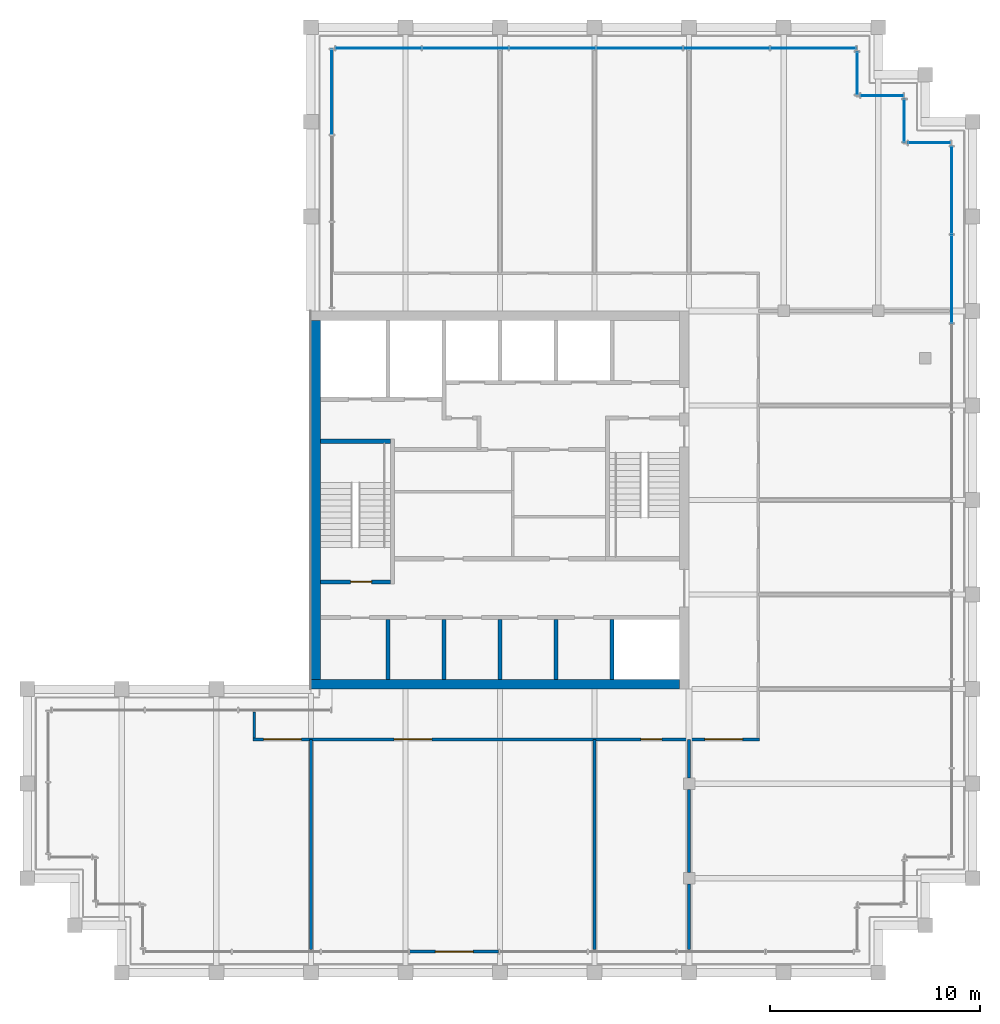
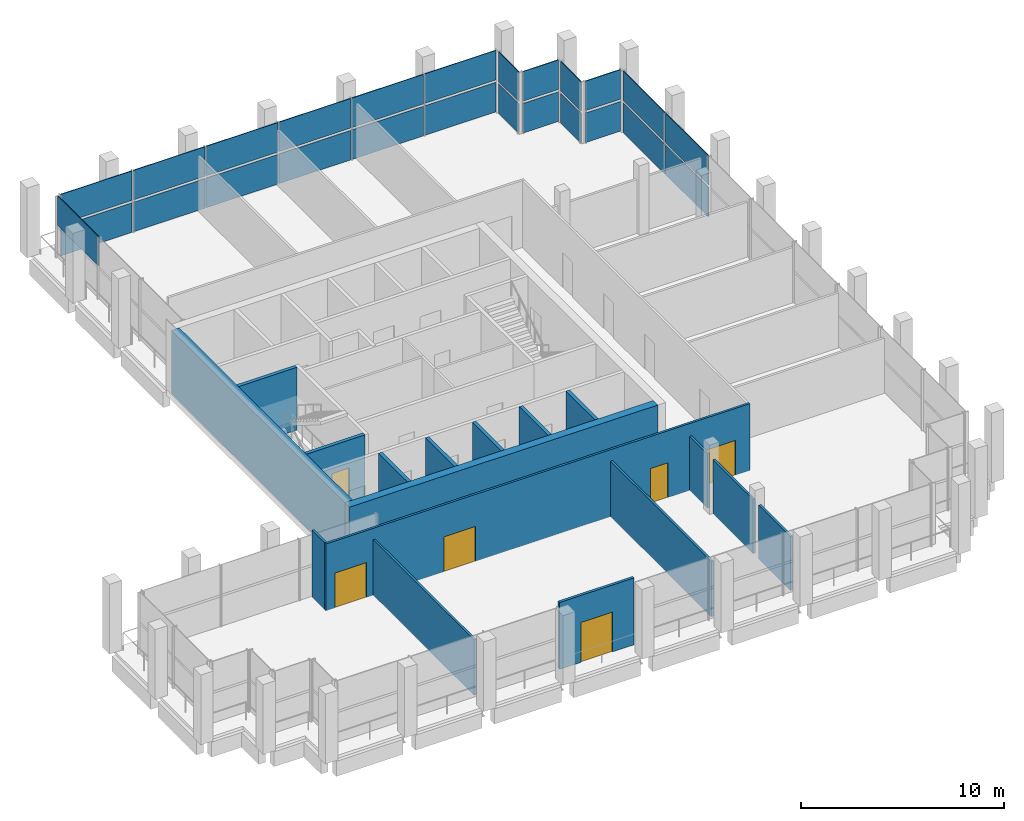
# One storey, part 14 of 17: 25 plates, 17 walls, 6 doors, 6 openings, 7 elements without a shape of their own.
"""IFC4 building model written with IfcOpenShell, lengths in metres."""

from ifc_helpers import new_model, si_unit, direction, frame, frame_2d, origin, origin_2d, place, context, subcontext, project, spatial, rectangle, extrude, material, layer, layer_set, type_object, element, fill, aggregate, save


model = new_model("IFC4")

# Units and contexts
model_context = context("Model", 3, precision=1e-05, world=origin(), true_north=direction((0.0, 1.0)))
body_context = subcontext(model_context, "Body", "Model", "MODEL_VIEW")
ifc_project = project(units=[si_unit("LENGTHUNIT", "METRE"), si_unit("AREAUNIT", "SQUARE_METRE"), si_unit("VOLUMEUNIT", "CUBIC_METRE"), si_unit("PLANEANGLEUNIT", "RADIAN"), si_unit("MASSUNIT", "GRAM", prefix="KILO")], contexts=[model_context])

# Site, building, storey
site_placement = place(None, origin())
site = spatial("IfcSite", under=ifc_project, at=site_placement, CompositionType="ELEMENT")
building_placement = place(site_placement, origin())
building = spatial("IfcBuilding", under=site, at=building_placement, Name="Altepetl Exchange Towers", CompositionType="ELEMENT")
storey_placement = place(building_placement, frame((0.0, 0.0, 255.199951171875)))
storey = spatial("IfcBuildingStorey", under=building, at=storey_placement, Name="L65", CompositionType="ELEMENT", Elevation=255.199951171875)

# Curtain wall, plates
ifc_material_1 = material(Name="Aluminium 6063-T6 glazing", Category="aluminium")
curtain_wall_type = type_object("IfcCurtainWallType", Name="Executive flush glazing system", PredefinedType="NOTDEFINED", material=ifc_material_1)
curtain_wall_1_placement = place(storey_placement, origin())
curtain_wall_1 = element("IfcCurtainWall", 1, at=curtain_wall_1_placement, inside=storey, type_object=curtain_wall_type, Name="CW4 run", PredefinedType="NOTDEFINED")
ifc_material_2 = material(Name="Glass 10-24-10 laminated", Category="glass")
ifc_layer_1 = layer(ifc_material_2, 0.0439453125)
ifc_layer_set_1 = layer_set([ifc_layer_1], Name="Glass 10-24-10 laminated")
plate_type = type_object("IfcPlateType", Name="Glass panel 44 laminated", PredefinedType="CURTAIN_PANEL", material=ifc_layer_set_1)
plate_1_placement = place(storey_placement, frame((71.0, 60.0234375, 0.0), z_axis=(0.0, 0.0, 1.0), x_axis=(0.0, 1.0, 0.0)))
plate_1 = element("IfcPlate", 2, at=plate_1_placement, type_object=plate_type, Name="GP3 panel", PredefinedType="CURTAIN_PANEL", context=body_context, shape_type="SweptSolid", body=[
    extrude(rectangle(XDim=4.17431640625, YDim=0.0439453125, at=origin_2d()), origin(), (0.0, 0.0, 1.0), 1.780029296875),
])
plate_2_placement = place(storey_placement, frame((71.0, 60.0234375, 1.919921875), z_axis=(0.0, 0.0, 1.0), x_axis=(0.0, 1.0, 0.0)))
plate_2 = element("IfcPlate", 3, at=plate_2_placement, type_object=plate_type, Name="GP3 panel", PredefinedType="CURTAIN_PANEL", context=body_context, shape_type="SweptSolid", body=[
    extrude(rectangle(XDim=4.17431640625, YDim=0.0439453125, at=origin_2d()), origin(), (0.0, 0.0, 1.0), 1.780029296875),
])
plate_3_placement = place(storey_placement, frame((71.0, 64.242919921875, 0.0), z_axis=(0.0, 0.0, 1.0), x_axis=(0.0, 1.0, 0.0)))
plate_3 = element("IfcPlate", 4, at=plate_3_placement, type_object=plate_type, Name="GP3 panel", PredefinedType="CURTAIN_PANEL", context=body_context, shape_type="SweptSolid", body=[
    extrude(rectangle(XDim=4.144287109375, YDim=0.0439453125, at=origin_2d()), origin(), (0.0, 0.0, 1.0), 1.780029296875),
])
plate_4_placement = place(storey_placement, frame((71.0, 64.242919921875, 1.919921875), z_axis=(0.0, 0.0, 1.0), x_axis=(0.0, 1.0, 0.0)))
plate_4 = element("IfcPlate", 5, at=plate_4_placement, type_object=plate_type, Name="GP3 panel", PredefinedType="CURTAIN_PANEL", context=body_context, shape_type="SweptSolid", body=[
    extrude(rectangle(XDim=4.144287109375, YDim=0.0439453125, at=origin_2d()), origin(), (0.0, 0.0, 1.0), 1.780029296875),
])
aggregate(curtain_wall_1, [plate_1, plate_2, plate_3, plate_4])

curtain_wall_2_placement = place(storey_placement, origin())
curtain_wall_2 = element("IfcCurtainWall", 6, at=curtain_wall_2_placement, inside=storey, type_object=curtain_wall_type, Name="CW4 run", PredefinedType="NOTDEFINED")
plate_5_placement = place(storey_placement, frame((69.9375, 66.5, 0.0), z_axis=(0.0, 0.0, 1.0), x_axis=(-1.0, 0.0, 0.0)))
plate_5 = element("IfcPlate", 7, at=plate_5_placement, type_object=plate_type, Name="GP3 panel", PredefinedType="CURTAIN_PANEL", context=body_context, shape_type="SweptSolid", body=[
    extrude(rectangle(XDim=2.0048828125, YDim=0.0439453125, at=origin_2d()), origin(), (0.0, 0.0, 1.0), 1.780029296875),
])
plate_6_placement = place(storey_placement, frame((69.9375, 66.5, 1.919921875), z_axis=(0.0, 0.0, 1.0), x_axis=(-1.0, 0.0, 0.0)))
plate_6 = element("IfcPlate", 8, at=plate_6_placement, type_object=plate_type, Name="GP3 panel", PredefinedType="CURTAIN_PANEL", context=body_context, shape_type="SweptSolid", body=[
    extrude(rectangle(XDim=2.0048828125, YDim=0.0439453125, at=origin_2d()), origin(), (0.0, 0.0, 1.0), 1.780029296875),
])
aggregate(curtain_wall_2, [plate_5, plate_6])

curtain_wall_3_placement = place(storey_placement, origin())
curtain_wall_3 = element("IfcCurtainWall", 9, at=curtain_wall_3_placement, inside=storey, type_object=curtain_wall_type, Name="CW4 run", PredefinedType="NOTDEFINED")
plate_7_placement = place(storey_placement, frame((68.75, 67.5625, 0.0), z_axis=(0.0, 0.0, 1.0), x_axis=(0.0, 1.0, 0.0)))
plate_7 = element("IfcPlate", 10, at=plate_7_placement, type_object=plate_type, Name="GP3 panel", PredefinedType="CURTAIN_PANEL", context=body_context, shape_type="SweptSolid", body=[
    extrude(rectangle(XDim=2.0048828125, YDim=0.0439453125, at=origin_2d()), origin(), (0.0, 0.0, 1.0), 1.780029296875),
])
plate_8_placement = place(storey_placement, frame((68.75, 67.5625, 1.919921875), z_axis=(0.0, 0.0, 1.0), x_axis=(0.0, 1.0, 0.0)))
plate_8 = element("IfcPlate", 11, at=plate_8_placement, type_object=plate_type, Name="GP3 panel", PredefinedType="CURTAIN_PANEL", context=body_context, shape_type="SweptSolid", body=[
    extrude(rectangle(XDim=2.0048828125, YDim=0.0439453125, at=origin_2d()), origin(), (0.0, 0.0, 1.0), 1.780029296875),
])
aggregate(curtain_wall_3, [plate_7, plate_8])

curtain_wall_4_placement = place(storey_placement, origin())
curtain_wall_4 = element("IfcCurtainWall", 12, at=curtain_wall_4_placement, inside=storey, type_object=curtain_wall_type, Name="CW4 run", PredefinedType="NOTDEFINED")
plate_9_placement = place(storey_placement, frame((67.6875, 68.75, 0.0), z_axis=(0.0, 0.0, 1.0), x_axis=(-1.0, 0.0, 0.0)))
plate_9 = element("IfcPlate", 13, at=plate_9_placement, type_object=plate_type, Name="GP3 panel", PredefinedType="CURTAIN_PANEL", context=body_context, shape_type="SweptSolid", body=[
    extrude(rectangle(XDim=2.0048828125, YDim=0.0439453125, at=origin_2d()), origin(), (0.0, 0.0, 1.0), 1.780029296875),
])
plate_10_placement = place(storey_placement, frame((67.6875, 68.75, 1.919921875), z_axis=(0.0, 0.0, 1.0), x_axis=(-1.0, 0.0, 0.0)))
plate_10 = element("IfcPlate", 14, at=plate_10_placement, type_object=plate_type, Name="GP3 panel", PredefinedType="CURTAIN_PANEL", context=body_context, shape_type="SweptSolid", body=[
    extrude(rectangle(XDim=2.0048828125, YDim=0.0439453125, at=origin_2d()), origin(), (0.0, 0.0, 1.0), 1.780029296875),
])
aggregate(curtain_wall_4, [plate_9, plate_10])

curtain_wall_5_placement = place(storey_placement, origin())
curtain_wall_5 = element("IfcCurtainWall", 15, at=curtain_wall_5_placement, inside=storey, type_object=curtain_wall_type, Name="CW4 run", PredefinedType="NOTDEFINED")
plate_11_placement = place(storey_placement, frame((66.5, 69.8125, 0.0), z_axis=(0.0, 0.0, 1.0), x_axis=(0.0, 1.0, 0.0)))
plate_11 = element("IfcPlate", 16, at=plate_11_placement, type_object=plate_type, Name="GP3 panel", PredefinedType="CURTAIN_PANEL", context=body_context, shape_type="SweptSolid", body=[
    extrude(rectangle(XDim=2.0048828125, YDim=0.0439453125, at=origin_2d()), origin(), (0.0, 0.0, 1.0), 1.780029296875),
])
plate_12_placement = place(storey_placement, frame((66.5, 69.8125, 1.919921875), z_axis=(0.0, 0.0, 1.0), x_axis=(0.0, 1.0, 0.0)))
plate_12 = element("IfcPlate", 17, at=plate_12_placement, type_object=plate_type, Name="GP3 panel", PredefinedType="CURTAIN_PANEL", context=body_context, shape_type="SweptSolid", body=[
    extrude(rectangle(XDim=2.0048828125, YDim=0.0439453125, at=origin_2d()), origin(), (0.0, 0.0, 1.0), 1.780029296875),
])
aggregate(curtain_wall_5, [plate_11, plate_12])

curtain_wall_6_placement = place(storey_placement, origin())
curtain_wall_6 = element("IfcCurtainWall", 18, at=curtain_wall_6_placement, inside=storey, type_object=curtain_wall_type, Name="CW4 run", PredefinedType="NOTDEFINED")
plate_13_placement = place(storey_placement, frame((64.412109375, 71.0, 0.0), z_axis=(0.0, 0.0, 1.0), x_axis=(-1.0, 0.0, 0.0)))
plate_13 = element("IfcPlate", 19, at=plate_13_placement, type_object=plate_type, Name="GP3 panel", PredefinedType="CURTAIN_PANEL", context=body_context, shape_type="SweptSolid", body=[
    extrude(rectangle(XDim=4.055908203125, YDim=0.0439453125, at=origin_2d()), origin(), (0.0, 0.0, 1.0), 1.780029296875),
])
plate_14_placement = place(storey_placement, frame((64.412109375, 71.0, 1.919921875), z_axis=(0.0, 0.0, 1.0), x_axis=(-1.0, 0.0, 0.0)))
plate_14 = element("IfcPlate", 20, at=plate_14_placement, type_object=plate_type, Name="GP3 panel", PredefinedType="CURTAIN_PANEL", context=body_context, shape_type="SweptSolid", body=[
    extrude(rectangle(XDim=4.055908203125, YDim=0.0439453125, at=origin_2d()), origin(), (0.0, 0.0, 1.0), 1.780029296875),
])
plate_15_placement = place(storey_placement, frame((60.28125, 71.0, 0.0), z_axis=(0.0, 0.0, 1.0), x_axis=(-1.0, 0.0, 0.0)))
plate_15 = element("IfcPlate", 21, at=plate_15_placement, type_object=plate_type, Name="GP3 panel", PredefinedType="CURTAIN_PANEL", context=body_context, shape_type="SweptSolid", body=[
    extrude(rectangle(XDim=4.0859375, YDim=0.0439453125, at=origin_2d()), origin(), (0.0, 0.0, 1.0), 1.780029296875),
])
plate_16_placement = place(storey_placement, frame((60.28125, 71.0, 1.919921875), z_axis=(0.0, 0.0, 1.0), x_axis=(-1.0, 0.0, 0.0)))
plate_16 = element("IfcPlate", 22, at=plate_16_placement, type_object=plate_type, Name="GP3 panel", PredefinedType="CURTAIN_PANEL", context=body_context, shape_type="SweptSolid", body=[
    extrude(rectangle(XDim=4.0859375, YDim=0.0439453125, at=origin_2d()), origin(), (0.0, 0.0, 1.0), 1.780029296875),
])
plate_17_placement = place(storey_placement, frame((56.135498046875, 71.0, 0.0), z_axis=(0.0, 0.0, 1.0), x_axis=(-1.0, 0.0, 0.0)))
plate_17 = element("IfcPlate", 23, at=plate_17_placement, type_object=plate_type, Name="GP3 panel", PredefinedType="CURTAIN_PANEL", context=body_context, shape_type="SweptSolid", body=[
    extrude(rectangle(XDim=4.0859375, YDim=0.0439453125, at=origin_2d()), origin(), (0.0, 0.0, 1.0), 1.780029296875),
])
plate_18_placement = place(storey_placement, frame((56.135498046875, 71.0, 1.919921875), z_axis=(0.0, 0.0, 1.0), x_axis=(-1.0, 0.0, 0.0)))
plate_18 = element("IfcPlate", 24, at=plate_18_placement, type_object=plate_type, Name="GP3 panel", PredefinedType="CURTAIN_PANEL", context=body_context, shape_type="SweptSolid", body=[
    extrude(rectangle(XDim=4.0859375, YDim=0.0439453125, at=origin_2d()), origin(), (0.0, 0.0, 1.0), 1.780029296875),
])
plate_19_placement = place(storey_placement, frame((51.989501953125, 71.0, 0.0), z_axis=(0.0, 0.0, 1.0), x_axis=(-1.0, 0.0, 0.0)))
plate_19 = element("IfcPlate", 25, at=plate_19_placement, type_object=plate_type, Name="GP3 panel", PredefinedType="CURTAIN_PANEL", context=body_context, shape_type="SweptSolid", body=[
    extrude(rectangle(XDim=4.0859375, YDim=0.0439453125, at=origin_2d()), origin(), (0.0, 0.0, 1.0), 1.780029296875),
])
plate_20_placement = place(storey_placement, frame((51.989501953125, 71.0, 1.919921875), z_axis=(0.0, 0.0, 1.0), x_axis=(-1.0, 0.0, 0.0)))
plate_20 = element("IfcPlate", 26, at=plate_20_placement, type_object=plate_type, Name="GP3 panel", PredefinedType="CURTAIN_PANEL", context=body_context, shape_type="SweptSolid", body=[
    extrude(rectangle(XDim=4.0859375, YDim=0.0439453125, at=origin_2d()), origin(), (0.0, 0.0, 1.0), 1.780029296875),
])
plate_21_placement = place(storey_placement, frame((47.84375, 71.0, 0.0), z_axis=(0.0, 0.0, 1.0), x_axis=(-1.0, 0.0, 0.0)))
plate_21 = element("IfcPlate", 27, at=plate_21_placement, type_object=plate_type, Name="GP3 panel", PredefinedType="CURTAIN_PANEL", context=body_context, shape_type="SweptSolid", body=[
    extrude(rectangle(XDim=4.0859375, YDim=0.0439453125, at=origin_2d()), origin(), (0.0, 0.0, 1.0), 1.780029296875),
])
plate_22_placement = place(storey_placement, frame((47.84375, 71.0, 1.919921875), z_axis=(0.0, 0.0, 1.0), x_axis=(-1.0, 0.0, 0.0)))
plate_22 = element("IfcPlate", 28, at=plate_22_placement, type_object=plate_type, Name="GP3 panel", PredefinedType="CURTAIN_PANEL", context=body_context, shape_type="SweptSolid", body=[
    extrude(rectangle(XDim=4.0859375, YDim=0.0439453125, at=origin_2d()), origin(), (0.0, 0.0, 1.0), 1.780029296875),
])
plate_23_placement = place(storey_placement, frame((43.712890625, 71.0, 0.0), z_axis=(0.0, 0.0, 1.0), x_axis=(-1.0, 0.0, 0.0)))
plate_23 = element("IfcPlate", 29, at=plate_23_placement, type_object=plate_type, Name="GP3 panel", PredefinedType="CURTAIN_PANEL", context=body_context, shape_type="SweptSolid", body=[
    extrude(rectangle(XDim=4.055908203125, YDim=0.0439453125, at=origin_2d()), origin(), (0.0, 0.0, 1.0), 1.780029296875),
])
plate_24_placement = place(storey_placement, frame((43.712890625, 71.0, 1.919921875), z_axis=(0.0, 0.0, 1.0), x_axis=(-1.0, 0.0, 0.0)))
plate_24 = element("IfcPlate", 30, at=plate_24_placement, type_object=plate_type, Name="GP3 panel", PredefinedType="CURTAIN_PANEL", context=body_context, shape_type="SweptSolid", body=[
    extrude(rectangle(XDim=4.055908203125, YDim=0.0439453125, at=origin_2d()), origin(), (0.0, 0.0, 1.0), 1.780029296875),
])
aggregate(curtain_wall_6, [plate_13, plate_14, plate_15, plate_16, plate_17, plate_18, plate_19, plate_20, plate_21, plate_22, plate_23, plate_24])

# Curtain wall, plate
curtain_wall_7_placement = place(storey_placement, origin())
curtain_wall_7 = element("IfcCurtainWall", 31, at=curtain_wall_7_placement, inside=storey, type_object=curtain_wall_type, Name="CW4 run", PredefinedType="NOTDEFINED")
plate_25_placement = place(storey_placement, frame((41.5, 68.922607421875, 1.919921875), z_axis=(0.0, 0.0, 1.0), x_axis=(0.0, -1.0, 0.0)))
plate_25 = element("IfcPlate", 32, at=plate_25_placement, type_object=plate_type, Name="GP3 panel", PredefinedType="CURTAIN_PANEL", context=body_context, shape_type="SweptSolid", body=[
    extrude(rectangle(XDim=4.034912109375, YDim=0.0439453125, at=origin_2d()), origin(), (0.0, 0.0, 1.0), 1.780029296875),
])
aggregate(curtain_wall_7, [plate_25])

# Walls
ifc_material_3 = material(Name="Concrete C70/85", Category="concrete")
ifc_layer_2 = layer(ifc_material_3, 0.449951171875)
ifc_layer_set_2 = layer_set([ifc_layer_2], Name="Concrete C70/85")
wall_type_1 = type_object("IfcWallType", Name="Core wall 450 reinforced concrete", PredefinedType="SHEAR", material=ifc_layer_set_2)
wall_1_placement = place(storey_placement, frame((40.5, 40.72509765625, 0.0)))
element("IfcWall", 33, at=wall_1_placement, inside=storey, type_object=wall_type_1, Name="wall:A:L65:K-coreS", PredefinedType="SHEAR", context=body_context, shape_type="SweptSolid", body=[
    extrude(rectangle(XDim=17.550048828125, YDim=0.449951171875, at=frame_2d((8.77490234375, 0.0))), origin(), (0.0, 0.0, 1.0), 3.780029296875),
])
ifc_layer_3 = layer(ifc_material_3, 0.449951171875)
ifc_layer_set_3 = layer_set([ifc_layer_3], Name="Concrete C70/85")
wall_type_2 = type_object("IfcWallType", Name="Core wall 450 reinforced concrete external", PredefinedType="SHEAR", material=ifc_layer_set_3)
wall_2_placement = place(storey_placement, frame((40.72509765625, 40.949951171875, 0.0), z_axis=(0.0, 0.0, 1.0), x_axis=(0.0, 1.0, 0.0)))
element("IfcWall", 34, at=wall_2_placement, inside=storey, type_object=wall_type_2, Name="wall:A:L65:K-coreW", PredefinedType="SHEAR", context=body_context, shape_type="SweptSolid", body=[
    extrude(rectangle(XDim=17.10009765625, YDim=0.449951171875, at=frame_2d((8.550048828125, 0.0))), origin(), (0.0, 0.0, 1.0), 3.780029296875),
])

# Wall, opening, door
ifc_material_4 = material(Name="Aluminium composite cladding", Category="aluminium")
ifc_layer_4 = layer(ifc_material_4, 0.14990234375)
ifc_layer_set_4 = layer_set([ifc_layer_4], Name="Aluminium composite cladding")
wall_type_3 = type_object("IfcWallType", Name="Infill wall 150 aluminium panel", PredefinedType="SOLIDWALL", material=ifc_layer_set_4)
wall_3_placement = place(storey_placement, frame((45.203125, 28.0, 0.0)))
wall_3 = element("IfcWall", 35, at=wall_3_placement, inside=storey, type_object=wall_type_3, Name="Loggia door bay wall", PredefinedType="SOLIDWALL", context=body_context, shape_type="SweptSolid", body=[
    extrude(rectangle(XDim=4.234375, YDim=0.14990234375, at=frame_2d((2.1171875, 0.0))), origin(), (0.0, 0.0, 1.0), 4.025146484375),
])
opening_1_placement = place(wall_3_placement, frame((1.21728515625, 0.0, 0.0)))
opening_1 = element("IfcOpeningElement", 36, at=opening_1_placement, cuts=wall_3, Name="Opening L65.A90", PredefinedType="OPENING", context=body_context, shape_type="SweptSolid", body=[
    extrude(rectangle(XDim=1.800048828125, YDim=2.39990234375, at=frame_2d((0.89990234375, 1.199951171875))), frame((0.0, 0.0849609375, 0.0), z_axis=(0.0, -1.0, 0.0), x_axis=(1.0, 0.0, 0.0)), (0.0, 0.0, 1.0), 0.169921875),
])
ifc_material_5 = material(Name="Aluminium 6063-T6 and glass", Category="aluminium")
door_type_1 = type_object("IfcDoorType", Name="Glazed door pair 1800x2400", OperationType="DOUBLE_DOOR_DOUBLE_SWING", PredefinedType="NOTDEFINED", material=ifc_material_5)
door_1_placement = place(opening_1_placement, frame((1.800048828125, 0.0, 0.0), x_axis=(-1.0, 0.0, 0.0)))
door_1 = element("IfcDoor", 37, at=door_1_placement, inside=storey, type_object=door_type_1, Name="Loggia door", OperationType="DOUBLE_DOOR_DOUBLE_SWING", OverallHeight=2.39990234375, OverallWidth=1.800048828125, PredefinedType="NOTDEFINED", context=body_context, shape_type="SweptSolid", body=[
    extrude(rectangle(XDim=1.800048828125, YDim=2.39990234375, at=frame_2d((0.89990234375, 1.199951171875))), frame((0.0, 0.02490234375, 0.0), z_axis=(0.0, -1.0, 0.0), x_axis=(1.0, 0.0, 0.0)), (0.0, 0.0, 1.0), 0.050048828125),
])
fill(opening_1, door_1)

# Wall, openings, doors
ifc_material_6 = material(Name="Gypsum board on steel studs", Category="steel")
ifc_layer_5 = layer(ifc_material_6, 0.125)
ifc_layer_set_5 = layer_set([ifc_layer_5], Name="Gypsum board on steel studs")
wall_type_4 = type_object("IfcWallType", Name="Partition 125 gypsum board on steel studs", PredefinedType="PARTITIONING", material=ifc_layer_set_5)
wall_4_placement = place(storey_placement, frame((37.737548828125, 38.10009765625, 0.0)))
wall_4 = element("IfcWall", 38, at=wall_4_placement, inside=storey, type_object=wall_type_4, Name="wall:A:L65:P01", PredefinedType="PARTITIONING", context=body_context, shape_type="SweptSolid", body=[
    extrude(rectangle(XDim=24.125, YDim=0.125, at=frame_2d((12.0625, 0.0))), origin(), (0.0, 0.0, 1.0), 4.025146484375),
])
opening_2_placement = place(wall_4_placement, frame((0.512451171875, 0.0, 0.0)))
opening_2 = element("IfcOpeningElement", 39, at=opening_2_placement, cuts=wall_4, Name="Opening L65.A01", PredefinedType="OPENING", context=body_context, shape_type="SweptSolid", body=[
    extrude(rectangle(XDim=1.800048828125, YDim=2.10009765625, at=frame_2d((0.89990234375, 1.050048828125))), frame((0.0, 0.072509765625, 0.0), z_axis=(0.0, -1.0, 0.0), x_axis=(1.0, 0.0, 0.0)), (0.0, 0.0, 1.0), 0.14501953125),
])
opening_3_placement = place(wall_4_placement, frame((6.722412109375, 0.0, 0.0)))
opening_3 = element("IfcOpeningElement", 40, at=opening_3_placement, cuts=wall_4, Name="Opening L65.A02", PredefinedType="OPENING", context=body_context, shape_type="SweptSolid", body=[
    extrude(rectangle(XDim=1.800048828125, YDim=2.10009765625, at=frame_2d((0.89990234375, 1.050048828125))), frame((0.0, 0.072509765625, 0.0), z_axis=(0.0, -1.0, 0.0), x_axis=(1.0, 0.0, 0.0)), (0.0, 0.0, 1.0), 0.14501953125),
])
opening_4_placement = place(wall_4_placement, frame((18.467529296875, 0.0, 0.0)))
opening_4 = element("IfcOpeningElement", 41, at=opening_4_placement, cuts=wall_4, Name="Opening L65.A03", PredefinedType="OPENING", context=body_context, shape_type="SweptSolid", body=[
    extrude(rectangle(XDim=1.0, YDim=2.10009765625, at=frame_2d((0.5, 1.050048828125))), frame((0.0, 0.072509765625, 0.0), z_axis=(0.0, -1.0, 0.0), x_axis=(1.0, 0.0, 0.0)), (0.0, 0.0, 1.0), 0.14501953125),
])
opening_5_placement = place(wall_4_placement, frame((21.512451171875, 0.0, 0.0)))
opening_5 = element("IfcOpeningElement", 42, at=opening_5_placement, cuts=wall_4, Name="Opening L65.A04", PredefinedType="OPENING", context=body_context, shape_type="SweptSolid", body=[
    extrude(rectangle(XDim=1.800048828125, YDim=2.10009765625, at=frame_2d((0.89990234375, 1.050048828125))), frame((0.0, 0.072509765625, 0.0), z_axis=(0.0, -1.0, 0.0), x_axis=(1.0, 0.0, 0.0)), (0.0, 0.0, 1.0), 0.14501953125),
])
ifc_material_7 = material(Name="Steel and timber fire door", Category="steel")
door_type_2 = type_object("IfcDoorType", Name="Fire door 1000 x 2100 single leaf", OperationType="SINGLE_SWING_LEFT", PredefinedType="DOOR", material=ifc_material_7)
door_2_placement = place(opening_4_placement, frame((1.0, 0.0, 0.0), x_axis=(-1.0, 0.0, 0.0)))
door_2 = element("IfcDoor", 43, at=door_2_placement, inside=storey, type_object=door_type_2, Name="door:A:L65:03", OperationType="SINGLE_SWING_LEFT", OverallHeight=2.10009765625, OverallWidth=1.0, PredefinedType="DOOR", context=body_context, shape_type="SweptSolid", body=[
    extrude(rectangle(XDim=1.0, YDim=2.10009765625, at=frame_2d((0.5, 1.050048828125))), frame((0.0, 0.02490234375, 0.0), z_axis=(0.0, -1.0, 0.0), x_axis=(1.0, 0.0, 0.0)), (0.0, 0.0, 1.0), 0.050048828125),
])
fill(opening_4, door_2)
door_type_3 = type_object("IfcDoorType", Name="Fire door 1800 x 2100 double leaf", OperationType="DOUBLE_DOOR_SINGLE_SWING", PredefinedType="DOOR", material=ifc_material_7)
door_3_placement = place(opening_2_placement, frame((1.800048828125, 0.0, 0.0), x_axis=(-1.0, 0.0, 0.0)))
door_3 = element("IfcDoor", 44, at=door_3_placement, inside=storey, type_object=door_type_3, Name="door:A:L65:01", OperationType="DOUBLE_DOOR_SINGLE_SWING", OverallHeight=2.10009765625, OverallWidth=1.800048828125, PredefinedType="DOOR", context=body_context, shape_type="SweptSolid", body=[
    extrude(rectangle(XDim=1.800048828125, YDim=2.10009765625, at=frame_2d((0.89990234375, 1.050048828125))), frame((0.0, 0.02490234375, 0.0), z_axis=(0.0, -1.0, 0.0), x_axis=(1.0, 0.0, 0.0)), (0.0, 0.0, 1.0), 0.050048828125),
])
fill(opening_2, door_3)
door_4_placement = place(opening_3_placement, frame((1.800048828125, 0.0, 0.0), x_axis=(-1.0, 0.0, 0.0)))
door_4 = element("IfcDoor", 45, at=door_4_placement, inside=storey, type_object=door_type_3, Name="door:A:L65:02", OperationType="DOUBLE_DOOR_SINGLE_SWING", OverallHeight=2.10009765625, OverallWidth=1.800048828125, PredefinedType="DOOR", context=body_context, shape_type="SweptSolid", body=[
    extrude(rectangle(XDim=1.800048828125, YDim=2.10009765625, at=frame_2d((0.89990234375, 1.050048828125))), frame((0.0, 0.02490234375, 0.0), z_axis=(0.0, -1.0, 0.0), x_axis=(1.0, 0.0, 0.0)), (0.0, 0.0, 1.0), 0.050048828125),
])
fill(opening_3, door_4)
door_5_placement = place(opening_5_placement, frame((1.800048828125, 0.0, 0.0), x_axis=(-1.0, 0.0, 0.0)))
door_5 = element("IfcDoor", 46, at=door_5_placement, inside=storey, type_object=door_type_3, Name="door:A:L65:04", OperationType="DOUBLE_DOOR_SINGLE_SWING", OverallHeight=2.10009765625, OverallWidth=1.800048828125, PredefinedType="DOOR", context=body_context, shape_type="SweptSolid", body=[
    extrude(rectangle(XDim=1.800048828125, YDim=2.10009765625, at=frame_2d((0.89990234375, 1.050048828125))), frame((0.0, 0.02490234375, 0.0), z_axis=(0.0, -1.0, 0.0), x_axis=(1.0, 0.0, 0.0)), (0.0, 0.0, 1.0), 0.050048828125),
])
fill(opening_5, door_5)

# Walls
wall_5_placement = place(storey_placement, frame((37.800048828125, 38.16259765625, 0.0), z_axis=(0.0, 0.0, 1.0), x_axis=(0.0, 1.0, 0.0)))
element("IfcWall", 47, at=wall_5_placement, inside=storey, type_object=wall_type_4, Name="wall:A:L65:P10", PredefinedType="PARTITIONING", context=body_context, shape_type="SweptSolid", body=[
    extrude(rectangle(XDim=1.2373046875, YDim=0.125, at=frame_2d((0.61865234375, 0.0))), origin(), (0.0, 0.0, 1.0), 4.025146484375),
])
for number, where, z_axis, x_axis, name in (
    (48, (40.5, 28.10009765625, 0.0), (0.0, 0.0, 1.0), (0.0, 1.0, 0.0), "wall:A:L65:P11"),
    (49, (54.0, 28.10009765625, 0.0), (0.0, 0.0, 1.0), (0.0, 1.0, 0.0), "wall:A:L65:P13"),
):
    element("IfcWall", number, at=place(storey_placement, frame(where, z_axis=z_axis, x_axis=x_axis)), inside=storey, type_object=wall_type_4, Name=name, PredefinedType="PARTITIONING", context=body_context, shape_type="SweptSolid", body=[
        extrude(rectangle(XDim=10.0, YDim=0.125, at=frame_2d((5.0, 0.0))), origin(), (0.0, 0.0, 1.0), 3.341064453125),
    ])
wall_6_placement = place(storey_placement, frame((58.5, 28.10009765625, 0.0), z_axis=(0.0, 0.0, 1.0), x_axis=(0.0, 1.0, 0.0)))
element("IfcWall", 50, at=wall_6_placement, inside=storey, type_object=wall_type_4, Name="wall:A:L65:P15", PredefinedType="PARTITIONING", context=body_context, shape_type="SweptSolid", body=[
    extrude(rectangle(XDim=3.125, YDim=0.125, at=frame_2d((1.5625, 0.0))), origin(), (0.0, 0.0, 1.0), 3.2509765625),
])
wall_7_placement = place(storey_placement, frame((58.5, 31.77490234375, 0.0), z_axis=(0.0, 0.0, 1.0), x_axis=(0.0, 1.0, 0.0)))
element("IfcWall", 51, at=wall_7_placement, inside=storey, type_object=wall_type_4, Name="wall:A:L65:P16", PredefinedType="PARTITIONING", context=body_context, shape_type="SweptSolid", body=[
    extrude(rectangle(XDim=3.9501953125, YDim=0.125, at=frame_2d((1.97509765625, 0.0))), origin(), (0.0, 0.0, 1.0), 3.2509765625),
])
wall_8_placement = place(storey_placement, frame((58.5, 36.27490234375, 0.0), z_axis=(0.0, 0.0, 1.0), x_axis=(0.0, 1.0, 0.0)))
element("IfcWall", 52, at=wall_8_placement, inside=storey, type_object=wall_type_4, Name="wall:A:L65:P17", PredefinedType="PARTITIONING", context=body_context, shape_type="SweptSolid", body=[
    extrude(rectangle(XDim=1.8251953125, YDim=0.125, at=frame_2d((0.91259765625, 0.0))), origin(), (0.0, 0.0, 1.0), 3.2509765625),
])
ifc_material_8 = material(Name="Concrete C40/50", Category="concrete")
ifc_layer_6 = layer(ifc_material_8, 0.199951171875)
ifc_layer_set_6 = layer_set([ifc_layer_6], Name="Concrete C40/50")
wall_type_5 = type_object("IfcWallType", Name="Shaft wall 200 reinforced concrete", PredefinedType="SHEAR", material=ifc_layer_set_6)
wall_9_placement = place(storey_placement, frame((54.833251953125, 40.949951171875, 0.0), z_axis=(0.0, 0.0, 1.0), x_axis=(0.0, 1.0, 0.0)))
element("IfcWall", 53, at=wall_9_placement, inside=storey, type_object=wall_type_5, Name="wall:A:L65:K-divS5", PredefinedType="SHEAR", context=body_context, shape_type="SweptSolid", body=[
    extrude(rectangle(XDim=2.85009765625, YDim=0.199951171875, at=frame_2d((1.425048828125, 0.0))), origin(), (0.0, 0.0, 1.0), 3.780029296875),
])
ifc_layer_7 = layer(ifc_material_3, 0.199951171875)
ifc_layer_set_7 = layer_set([ifc_layer_7], Name="Concrete C70/85")
wall_type_6 = type_object("IfcWallType", Name="Shear wall 200 reinforced concrete", PredefinedType="SHEAR", material=ifc_layer_set_7)
for number, where, z_axis, x_axis, name in (
    (54, (44.166748046875, 40.949951171875, 0.0), (0.0, 0.0, 1.0), (0.0, 1.0, 0.0), "wall:A:L65:K-divS1"),
    (55, (46.833251953125, 40.949951171875, 0.0), (0.0, 0.0, 1.0), (0.0, 1.0, 0.0), "wall:A:L65:K-divS2"),
    (56, (49.5, 40.949951171875, 0.0), (0.0, 0.0, 1.0), (0.0, 1.0, 0.0), "wall:A:L65:K-divS3"),
    (57, (52.166748046875, 40.949951171875, 0.0), (0.0, 0.0, 1.0), (0.0, 1.0, 0.0), "wall:A:L65:K-divS4"),
):
    element("IfcWall", number, at=place(storey_placement, frame(where, z_axis=z_axis, x_axis=x_axis)), inside=storey, type_object=wall_type_6, Name=name, PredefinedType="SHEAR", context=body_context, shape_type="SweptSolid", body=[
        extrude(rectangle(XDim=2.85009765625, YDim=0.199951171875, at=frame_2d((1.425048828125, 0.0))), origin(), (0.0, 0.0, 1.0), 3.780029296875),
    ])
ifc_layer_8 = layer(ifc_material_8, 0.199951171875)
ifc_layer_set_8 = layer_set([ifc_layer_8], Name="Concrete C40/50")
wall_type_7 = type_object("IfcWallType", Name="Stair wall 200 reinforced concrete", PredefinedType="SHEAR", material=ifc_layer_set_8)
wall_10_placement = place(storey_placement, frame((40.949951171875, 52.300048828125, 0.0)))
element("IfcWall", 58, at=wall_10_placement, inside=storey, type_object=wall_type_7, Name="wall:A:L65:K-stS1N", PredefinedType="SHEAR", context=body_context, shape_type="SweptSolid", body=[
    extrude(rectangle(XDim=3.330078125, YDim=0.199951171875, at=frame_2d((1.6650390625, 0.0))), origin(), (0.0, 0.0, 1.0), 3.780029296875),
])

# Wall, opening, door
wall_11_placement = place(storey_placement, frame((40.949951171875, 45.60009765625, 0.0)))
wall_11 = element("IfcWall", 59, at=wall_11_placement, inside=storey, type_object=wall_type_7, Name="wall:A:L65:K-stS1S", PredefinedType="SHEAR", context=body_context, shape_type="SweptSolid", body=[
    extrude(rectangle(XDim=3.330078125, YDim=0.199951171875, at=frame_2d((1.6650390625, 0.0))), origin(), (0.0, 0.0, 1.0), 3.780029296875),
])
opening_6_placement = place(wall_11_placement, frame((1.43994140625, 0.0, 0.0)))
opening_6 = element("IfcOpeningElement", 60, at=opening_6_placement, cuts=wall_11, Name="Opening L65.A62", PredefinedType="OPENING", context=body_context, shape_type="SweptSolid", body=[
    extrude(rectangle(XDim=1.0, YDim=2.10009765625, at=frame_2d((0.5, 1.050048828125))), frame((0.0, 0.10986328125, 0.0), z_axis=(0.0, -1.0, 0.0), x_axis=(1.0, 0.0, 0.0)), (0.0, 0.0, 1.0), 0.219970703125),
])
door_type_4 = type_object("IfcDoorType", Name="Fire door 1000 x 2100 stair and lobby", OperationType="SINGLE_SWING_LEFT", PredefinedType="DOOR", material=ifc_material_7)
door_6_placement = place(opening_6_placement, origin())
door_6 = element("IfcDoor", 61, at=door_6_placement, inside=storey, type_object=door_type_4, Name="door:A:L65:K-dS1in", OperationType="SINGLE_SWING_RIGHT", OverallHeight=2.10009765625, OverallWidth=1.0, PredefinedType="DOOR", context=body_context, shape_type="SweptSolid", body=[
    extrude(rectangle(XDim=1.0, YDim=2.10009765625, at=frame_2d((0.5, 1.050048828125))), frame((0.0, 0.02490234375, 0.0), z_axis=(0.0, -1.0, 0.0), x_axis=(1.0, 0.0, 0.0)), (0.0, 0.0, 1.0), 0.050048828125),
])
fill(opening_6, door_6)

save(model, "model.ifc")
